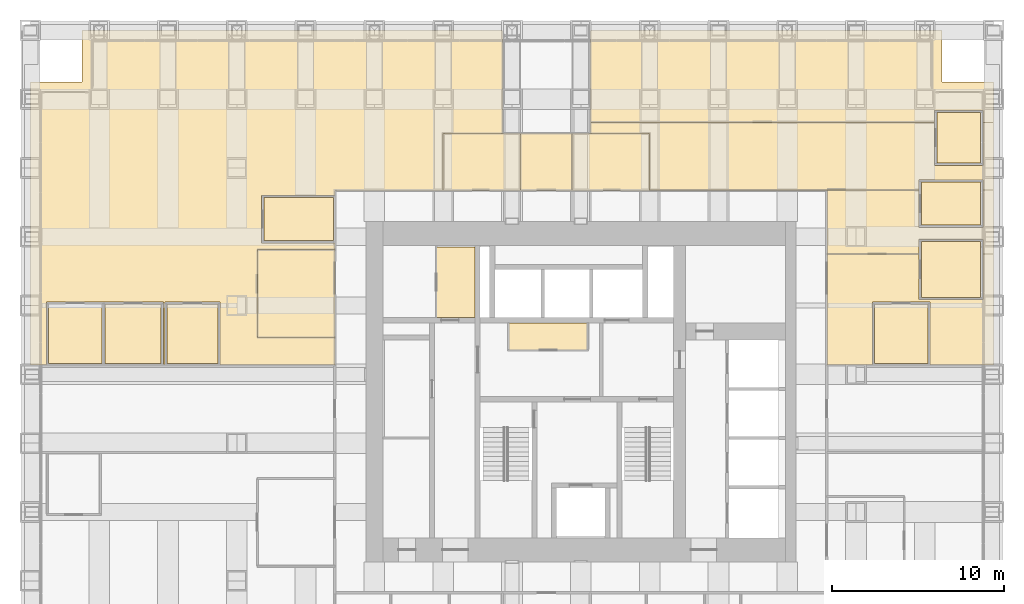
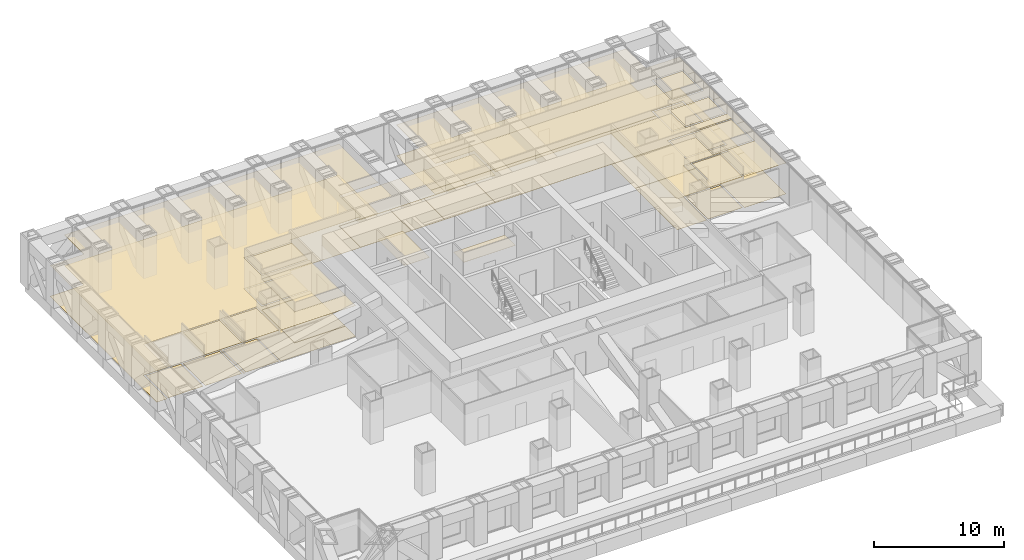
# One storey, part 17 of 18: 35 coverings.
"""IFC4 building model written with IfcOpenShell, lengths in metres."""

from ifc_helpers import new_model, si_unit, direction, frame, origin, place, context, subcontext, project, spatial, polyline, outline, extrude, material, layer, layer_set, type_object, element, save


model = new_model("IFC4")

# Units and contexts
model_context = context("Model", 3, precision=1e-05, world=origin(), true_north=direction((0.0, 1.0)))
body_context = subcontext(model_context, "Body", "Model", "MODEL_VIEW")
ifc_project = project(units=[si_unit("LENGTHUNIT", "METRE"), si_unit("AREAUNIT", "SQUARE_METRE"), si_unit("VOLUMEUNIT", "CUBIC_METRE"), si_unit("PLANEANGLEUNIT", "RADIAN"), si_unit("MASSUNIT", "GRAM", prefix="KILO")], contexts=[model_context])

# Site, building, storey
site_placement = place(None, origin())
site = spatial("IfcSite", under=ifc_project, at=site_placement, CompositionType="ELEMENT")
building_placement = place(site_placement, origin())
building = spatial("IfcBuilding", under=site, at=building_placement, Name="Rimbunsela Tower", CompositionType="ELEMENT")
storey_placement = place(building_placement, frame((0.0, 0.0, 43.0)))
storey = spatial("IfcBuildingStorey", under=building, at=storey_placement, Name="L10", CompositionType="ELEMENT", Elevation=43.0)

# Coverings
ifc_material_1 = material(Name="Nylon carpet tile", Category="textile")
ifc_layer_1 = layer(ifc_material_1, 0.010009765625)
ifc_layer_set_1 = layer_set([ifc_layer_1], Name="Carpet tile 10")
covering_type_1 = type_object("IfcCoveringType", Name="Carpet tile 10", PredefinedType="FLOORING", material=ifc_layer_set_1)
covering_1_placement = place(storey_placement, origin())
element("IfcCovering", 1, at=covering_1_placement, inside=storey, type_object=covering_type_1, Name="Floor finish Open office", PredefinedType="FLOORING", context=body_context, shape_type="SweptSolid", body=[
    extrude(outline(polyline([(11.449951171875, 35.64990234375), (15.699951171875, 35.64990234375), (15.699951171875, 35.25), (11.199951171875, 35.25), (11.199951171875, 30.14990234375), (15.699951171875, 30.14990234375), (15.699951171875, 28.551025390625), (9.030029296875, 28.551025390625), (9.030029296875, 32.199951171875), (5.830078125, 32.199951171875), (5.830078125, 28.551025390625), (5.72998046875, 28.551025390625), (5.72998046875, 32.199951171875), (2.280029296875, 32.199951171875), (2.22998046875, 32.199951171875), (-1.070068359375, 32.199951171875), (-1.070068359375, 28.551025390625), (-2.0, 28.551025390625), (-2.0, 45.0), (1.0, 45.0), (1.0, 48.0), (15.699951171875, 48.0), (25.448974609375, 48.0), (25.448974609375, 42.0), (22.0, 42.0), (22.0, 38.699951171875), (15.699951171875, 38.699951171875), (15.699951171875, 38.39990234375), (11.449951171875, 38.39990234375), (11.449951171875, 35.64990234375)])), origin(), (0.0, 0.0, 1.0), 0.010009765625),
])
covering_2_placement = place(storey_placement, origin())
element("IfcCovering", 2, at=covering_2_placement, inside=storey, type_object=covering_type_1, Name="Floor finish Open office", PredefinedType="FLOORING", context=body_context, shape_type="SweptSolid", body=[
    extrude(outline(polyline([(46.949951171875, 32.199951171875), (46.949951171875, 28.551025390625), (44.300048828125, 28.551025390625), (44.300048828125, 35.0), (49.669921875, 35.0), (49.669921875, 32.35009765625), (53.3701171875, 32.35009765625), (53.3701171875, 35.0), (54.0, 35.0), (54.0, 28.551025390625), (50.300048828125, 28.551025390625), (50.300048828125, 32.199951171875), (46.949951171875, 32.199951171875)])), origin(), (0.0, 0.0, 1.0), 0.010009765625),
])
covering_3_placement = place(storey_placement, origin())
element("IfcCovering", 3, at=covering_3_placement, inside=storey, type_object=covering_type_1, Name="Floor finish Open office", PredefinedType="FLOORING", context=body_context, shape_type="SweptSolid", body=[
    extrude(outline(polyline([(44.300048828125, 35.0), (44.300048828125, 38.699951171875), (34.0, 38.699951171875), (34.0, 38.72509765625), (49.669921875, 38.72509765625), (49.669921875, 36.550048828125), (53.3701171875, 36.550048828125), (53.3701171875, 38.72509765625), (54.0, 38.72509765625), (54.0, 35.0), (53.3701171875, 35.0), (53.3701171875, 35.85009765625), (49.669921875, 35.85009765625), (49.669921875, 35.0), (44.300048828125, 35.0)])), origin(), (0.0, 0.0, 1.0), 0.010009765625),
])
covering_4_placement = place(storey_placement, origin())
element("IfcCovering", 4, at=covering_4_placement, inside=storey, type_object=covering_type_1, Name="Floor finish Open office", PredefinedType="FLOORING", context=body_context, shape_type="SweptSolid", body=[
    extrude(outline(polyline([(34.0, 38.72509765625), (34.0, 42.0), (30.551025390625, 42.0), (30.551025390625, 42.64990234375), (50.570068359375, 42.64990234375), (50.570068359375, 40.14990234375), (53.3701171875, 40.14990234375), (53.3701171875, 42.64990234375), (54.0, 42.64990234375), (54.0, 38.72509765625), (53.3701171875, 38.72509765625), (53.3701171875, 39.300048828125), (49.669921875, 39.300048828125), (49.669921875, 38.72509765625), (34.0, 38.72509765625)])), origin(), (0.0, 0.0, 1.0), 0.010009765625),
])
covering_5_placement = place(storey_placement, origin())
element("IfcCovering", 5, at=covering_5_placement, inside=storey, type_object=covering_type_1, Name="Floor finish Open office", PredefinedType="FLOORING", context=body_context, shape_type="SweptSolid", body=[
    extrude(outline(polyline([(30.551025390625, 42.64990234375), (30.551025390625, 48.0), (44.300048828125, 48.0), (51.0, 48.0), (51.0, 45.0), (54.0, 45.0), (54.0, 42.64990234375), (53.3701171875, 42.64990234375), (53.3701171875, 43.35009765625), (50.570068359375, 43.35009765625), (50.570068359375, 42.64990234375), (30.551025390625, 42.64990234375)])), origin(), (0.0, 0.0, 1.0), 0.010009765625),
])
covering_6_placement = place(storey_placement, origin())
element("IfcCovering", 6, at=covering_6_placement, inside=storey, type_object=covering_type_1, Name="Floor finish Reception", PredefinedType="FLOORING", context=body_context, shape_type="SweptSolid", body=[
    extrude(outline(polyline([(15.699951171875, 30.14990234375), (15.699951171875, 35.25), (11.199951171875, 35.25), (11.199951171875, 30.14990234375), (15.699951171875, 30.14990234375)])), origin(), (0.0, 0.0, 1.0), 0.010009765625),
])
covering_7_placement = place(storey_placement, origin())
element("IfcCovering", 7, at=covering_7_placement, inside=storey, type_object=covering_type_1, Name="Floor finish Interview room", PredefinedType="FLOORING", context=body_context, shape_type="SweptSolid", body=[
    extrude(outline(polyline([(2.155029296875, 28.625), (2.155029296875, 32.074951171875), (-0.945068359375, 32.074951171875), (-0.945068359375, 28.625), (2.155029296875, 28.625)])), origin(), (0.0, 0.0, 1.0), 0.010009765625),
])
covering_8_placement = place(storey_placement, origin())
element("IfcCovering", 8, at=covering_8_placement, inside=storey, type_object=covering_type_1, Name="Floor finish Pantry", PredefinedType="FLOORING", context=body_context, shape_type="SweptSolid", body=[
    extrude(outline(polyline([(5.60498046875, 28.625), (5.60498046875, 32.074951171875), (2.35498046875, 32.074951171875), (2.35498046875, 28.625), (5.60498046875, 28.625)])), origin(), (0.0, 0.0, 1.0), 0.010009765625),
])
covering_9_placement = place(storey_placement, origin())
element("IfcCovering", 9, at=covering_9_placement, inside=storey, type_object=covering_type_1, Name="Floor finish Print and copy room", PredefinedType="FLOORING", context=body_context, shape_type="SweptSolid", body=[
    extrude(outline(polyline([(15.625, 35.77490234375), (15.625, 38.27490234375), (11.574951171875, 38.27490234375), (11.574951171875, 35.77490234375), (15.625, 35.77490234375)])), origin(), (0.0, 0.0, 1.0), 0.010009765625),
])
covering_10_placement = place(storey_placement, origin())
element("IfcCovering", 10, at=covering_10_placement, inside=storey, type_object=covering_type_1, Name="Floor finish Office", PredefinedType="FLOORING", context=body_context, shape_type="SweptSolid", body=[
    extrude(outline(polyline([(8.905029296875, 28.625), (8.905029296875, 32.074951171875), (5.955078125, 32.074951171875), (5.955078125, 28.625), (8.905029296875, 28.625)])), origin(), (0.0, 0.0, 1.0), 0.010009765625),
])
covering_11_placement = place(storey_placement, origin())
element("IfcCovering", 11, at=covering_11_placement, inside=storey, type_object=covering_type_1, Name="Floor finish Interview room", PredefinedType="FLOORING", context=body_context, shape_type="SweptSolid", body=[
    extrude(outline(polyline([(50.175048828125, 28.625), (50.175048828125, 32.074951171875), (47.074951171875, 32.074951171875), (47.074951171875, 28.625), (50.175048828125, 28.625)])), origin(), (0.0, 0.0, 1.0), 0.010009765625),
])
covering_12_placement = place(storey_placement, origin())
element("IfcCovering", 12, at=covering_12_placement, inside=storey, type_object=covering_type_1, Name="Floor finish Pantry", PredefinedType="FLOORING", context=body_context, shape_type="SweptSolid", body=[
    extrude(outline(polyline([(53.2451171875, 32.47509765625), (53.2451171875, 35.72509765625), (49.794921875, 35.72509765625), (49.794921875, 32.47509765625), (53.2451171875, 32.47509765625)])), origin(), (0.0, 0.0, 1.0), 0.010009765625),
])
covering_13_placement = place(storey_placement, origin())
element("IfcCovering", 13, at=covering_13_placement, inside=storey, type_object=covering_type_1, Name="Floor finish Print and copy room", PredefinedType="FLOORING", context=body_context, shape_type="SweptSolid", body=[
    extrude(outline(polyline([(53.2451171875, 36.675048828125), (53.2451171875, 39.175048828125), (49.794921875, 39.175048828125), (49.794921875, 36.675048828125), (53.2451171875, 36.675048828125)])), origin(), (0.0, 0.0, 1.0), 0.010009765625),
])
covering_14_placement = place(storey_placement, origin())
element("IfcCovering", 14, at=covering_14_placement, inside=storey, type_object=covering_type_1, Name="Floor finish Office", PredefinedType="FLOORING", context=body_context, shape_type="SweptSolid", body=[
    extrude(outline(polyline([(53.2451171875, 40.27490234375), (53.2451171875, 43.22509765625), (50.695068359375, 43.22509765625), (50.695068359375, 40.27490234375), (53.2451171875, 40.27490234375)])), origin(), (0.0, 0.0, 1.0), 0.010009765625),
])
ifc_material_2 = material(Name="Mineral fibre ceiling tile", Category="gypsum")
ifc_layer_2 = layer(ifc_material_2, 0.02001953125)
ifc_layer_set_2 = layer_set([ifc_layer_2], Name="Ceiling 600 grid")
covering_type_2 = type_object("IfcCoveringType", Name="Ceiling 600 grid", PredefinedType="CEILING", material=ifc_layer_set_2)
covering_15_placement = place(storey_placement, frame((0.0, 0.0, 2.89990234375)))
element("IfcCovering", 15, at=covering_15_placement, inside=storey, type_object=covering_type_2, Name="Ceiling Staff pantry", PredefinedType="CEILING", context=body_context, shape_type="SweptSolid", body=[
    extrude(outline(polyline([(30.39990234375, 29.39990234375), (30.39990234375, 31.0), (25.800048828125, 31.0), (25.800048828125, 29.39990234375), (30.39990234375, 29.39990234375)])), origin(), (0.0, 0.0, 1.0), 0.02001953125),
])
covering_16_placement = place(storey_placement, frame((0.0, 0.0, 2.89990234375)))
element("IfcCovering", 16, at=covering_16_placement, inside=storey, type_object=covering_type_2, Name="Ceiling Staff pantry", PredefinedType="CEILING", context=body_context, shape_type="SweptSolid", body=[
    extrude(outline(polyline([(23.85009765625, 31.300048828125), (23.85009765625, 35.39990234375), (21.60009765625, 35.39990234375), (21.60009765625, 31.300048828125), (23.85009765625, 31.300048828125)])), origin(), (0.0, 0.0, 1.0), 0.02001953125),
])
covering_17_placement = place(storey_placement, frame((0.0, 0.0, 2.89990234375)))
element("IfcCovering", 17, at=covering_17_placement, inside=storey, type_object=covering_type_2, Name="Ceiling Open office", PredefinedType="CEILING", context=body_context, shape_type="SweptSolid", body=[
    extrude(outline(polyline([(11.449951171875, 35.64990234375), (15.699951171875, 35.64990234375), (15.699951171875, 35.25), (11.199951171875, 35.25), (11.199951171875, 30.14990234375), (15.699951171875, 30.14990234375), (15.699951171875, 28.551025390625), (9.030029296875, 28.551025390625), (9.030029296875, 32.199951171875), (5.830078125, 32.199951171875), (5.830078125, 28.551025390625), (5.72998046875, 28.551025390625), (5.72998046875, 32.199951171875), (2.280029296875, 32.199951171875), (2.22998046875, 32.199951171875), (-1.070068359375, 32.199951171875), (-1.070068359375, 28.551025390625), (-2.0, 28.551025390625), (-2.0, 45.0), (1.0, 45.0), (1.0, 48.0), (15.699951171875, 48.0), (25.448974609375, 48.0), (25.448974609375, 42.0), (22.0, 42.0), (22.0, 38.699951171875), (15.699951171875, 38.699951171875), (15.699951171875, 38.39990234375), (11.449951171875, 38.39990234375), (11.449951171875, 35.64990234375)])), origin(), (0.0, 0.0, 1.0), 0.02001953125),
])
covering_18_placement = place(storey_placement, frame((0.0, 0.0, 2.89990234375)))
element("IfcCovering", 18, at=covering_18_placement, inside=storey, type_object=covering_type_2, Name="Ceiling Open office", PredefinedType="CEILING", context=body_context, shape_type="SweptSolid", body=[
    extrude(outline(polyline([(46.949951171875, 32.199951171875), (46.949951171875, 28.551025390625), (44.300048828125, 28.551025390625), (44.300048828125, 35.0), (49.669921875, 35.0), (49.669921875, 32.35009765625), (53.3701171875, 32.35009765625), (53.3701171875, 35.0), (54.0, 35.0), (54.0, 28.551025390625), (50.300048828125, 28.551025390625), (50.300048828125, 32.199951171875), (46.949951171875, 32.199951171875)])), origin(), (0.0, 0.0, 1.0), 0.02001953125),
])
covering_19_placement = place(storey_placement, frame((0.0, 0.0, 2.89990234375)))
element("IfcCovering", 19, at=covering_19_placement, inside=storey, type_object=covering_type_2, Name="Ceiling Open office", PredefinedType="CEILING", context=body_context, shape_type="SweptSolid", body=[
    extrude(outline(polyline([(44.300048828125, 35.0), (44.300048828125, 38.699951171875), (34.0, 38.699951171875), (34.0, 38.72509765625), (49.669921875, 38.72509765625), (49.669921875, 36.550048828125), (53.3701171875, 36.550048828125), (53.3701171875, 38.72509765625), (54.0, 38.72509765625), (54.0, 35.0), (53.3701171875, 35.0), (53.3701171875, 35.85009765625), (49.669921875, 35.85009765625), (49.669921875, 35.0), (44.300048828125, 35.0)])), origin(), (0.0, 0.0, 1.0), 0.02001953125),
])
covering_20_placement = place(storey_placement, frame((0.0, 0.0, 2.89990234375)))
element("IfcCovering", 20, at=covering_20_placement, inside=storey, type_object=covering_type_2, Name="Ceiling Open office", PredefinedType="CEILING", context=body_context, shape_type="SweptSolid", body=[
    extrude(outline(polyline([(34.0, 38.72509765625), (34.0, 42.0), (30.551025390625, 42.0), (30.551025390625, 42.64990234375), (50.570068359375, 42.64990234375), (50.570068359375, 40.14990234375), (53.3701171875, 40.14990234375), (53.3701171875, 42.64990234375), (54.0, 42.64990234375), (54.0, 38.72509765625), (53.3701171875, 38.72509765625), (53.3701171875, 39.300048828125), (49.669921875, 39.300048828125), (49.669921875, 38.72509765625), (34.0, 38.72509765625)])), origin(), (0.0, 0.0, 1.0), 0.02001953125),
])
covering_21_placement = place(storey_placement, frame((0.0, 0.0, 2.89990234375)))
element("IfcCovering", 21, at=covering_21_placement, inside=storey, type_object=covering_type_2, Name="Ceiling Open office", PredefinedType="CEILING", context=body_context, shape_type="SweptSolid", body=[
    extrude(outline(polyline([(30.551025390625, 42.64990234375), (30.551025390625, 48.0), (44.300048828125, 48.0), (51.0, 48.0), (51.0, 45.0), (54.0, 45.0), (54.0, 42.64990234375), (53.3701171875, 42.64990234375), (53.3701171875, 43.35009765625), (50.570068359375, 43.35009765625), (50.570068359375, 42.64990234375), (30.551025390625, 42.64990234375)])), origin(), (0.0, 0.0, 1.0), 0.02001953125),
])
covering_22_placement = place(storey_placement, frame((0.0, 0.0, 2.89990234375)))
element("IfcCovering", 22, at=covering_22_placement, inside=storey, type_object=covering_type_2, Name="Ceiling Reception", PredefinedType="CEILING", context=body_context, shape_type="SweptSolid", body=[
    extrude(outline(polyline([(15.699951171875, 30.14990234375), (15.699951171875, 35.25), (11.199951171875, 35.25), (11.199951171875, 30.14990234375), (15.699951171875, 30.14990234375)])), origin(), (0.0, 0.0, 1.0), 0.02001953125),
])
covering_23_placement = place(storey_placement, frame((0.0, 0.0, 2.89990234375)))
element("IfcCovering", 23, at=covering_23_placement, inside=storey, type_object=covering_type_2, Name="Ceiling Pantry", PredefinedType="CEILING", context=body_context, shape_type="SweptSolid", body=[
    extrude(outline(polyline([(5.60498046875, 28.625), (5.60498046875, 32.074951171875), (2.35498046875, 32.074951171875), (2.35498046875, 28.625), (5.60498046875, 28.625)])), origin(), (0.0, 0.0, 1.0), 0.02001953125),
])
covering_24_placement = place(storey_placement, frame((0.0, 0.0, 2.89990234375)))
element("IfcCovering", 24, at=covering_24_placement, inside=storey, type_object=covering_type_2, Name="Ceiling Print and copy room", PredefinedType="CEILING", context=body_context, shape_type="SweptSolid", body=[
    extrude(outline(polyline([(15.625, 35.77490234375), (15.625, 38.27490234375), (11.574951171875, 38.27490234375), (11.574951171875, 35.77490234375), (15.625, 35.77490234375)])), origin(), (0.0, 0.0, 1.0), 0.02001953125),
])
covering_25_placement = place(storey_placement, frame((0.0, 0.0, 2.89990234375)))
element("IfcCovering", 25, at=covering_25_placement, inside=storey, type_object=covering_type_2, Name="Ceiling Office", PredefinedType="CEILING", context=body_context, shape_type="SweptSolid", body=[
    extrude(outline(polyline([(8.905029296875, 28.625), (8.905029296875, 32.074951171875), (5.955078125, 32.074951171875), (5.955078125, 28.625), (8.905029296875, 28.625)])), origin(), (0.0, 0.0, 1.0), 0.02001953125),
])
covering_26_placement = place(storey_placement, frame((0.0, 0.0, 2.89990234375)))
element("IfcCovering", 26, at=covering_26_placement, inside=storey, type_object=covering_type_2, Name="Ceiling Interview room", PredefinedType="CEILING", context=body_context, shape_type="SweptSolid", body=[
    extrude(outline(polyline([(50.175048828125, 28.625), (50.175048828125, 32.074951171875), (47.074951171875, 32.074951171875), (47.074951171875, 28.625), (50.175048828125, 28.625)])), origin(), (0.0, 0.0, 1.0), 0.02001953125),
])
covering_27_placement = place(storey_placement, frame((0.0, 0.0, 2.89990234375)))
element("IfcCovering", 27, at=covering_27_placement, inside=storey, type_object=covering_type_2, Name="Ceiling Pantry", PredefinedType="CEILING", context=body_context, shape_type="SweptSolid", body=[
    extrude(outline(polyline([(53.2451171875, 32.47509765625), (53.2451171875, 35.72509765625), (49.794921875, 35.72509765625), (49.794921875, 32.47509765625), (53.2451171875, 32.47509765625)])), origin(), (0.0, 0.0, 1.0), 0.02001953125),
])
covering_28_placement = place(storey_placement, frame((0.0, 0.0, 2.89990234375)))
element("IfcCovering", 28, at=covering_28_placement, inside=storey, type_object=covering_type_2, Name="Ceiling Print and copy room", PredefinedType="CEILING", context=body_context, shape_type="SweptSolid", body=[
    extrude(outline(polyline([(53.2451171875, 36.675048828125), (53.2451171875, 39.175048828125), (49.794921875, 39.175048828125), (49.794921875, 36.675048828125), (53.2451171875, 36.675048828125)])), origin(), (0.0, 0.0, 1.0), 0.02001953125),
])
covering_29_placement = place(storey_placement, frame((0.0, 0.0, 2.89990234375)))
element("IfcCovering", 29, at=covering_29_placement, inside=storey, type_object=covering_type_2, Name="Ceiling Office", PredefinedType="CEILING", context=body_context, shape_type="SweptSolid", body=[
    extrude(outline(polyline([(53.2451171875, 40.27490234375), (53.2451171875, 43.22509765625), (50.695068359375, 43.22509765625), (50.695068359375, 40.27490234375), (53.2451171875, 40.27490234375)])), origin(), (0.0, 0.0, 1.0), 0.02001953125),
])
ifc_material_3 = material(Name="Moisture-resistant plasterboard ceiling", Category="gypsum")
ifc_layer_3 = layer(ifc_material_3, 0.012451171875)
ifc_layer_set_3 = layer_set([ifc_layer_3], Name="Ceiling moisture-resistant board")
covering_type_3 = type_object("IfcCoveringType", Name="Ceiling moisture-resistant board", PredefinedType="CEILING", material=ifc_layer_set_3)
covering_30_placement = place(storey_placement, frame((0.0, 0.0, 2.60009765625)))
element("IfcCovering", 30, at=covering_30_placement, inside=storey, type_object=covering_type_3, Name="Ceiling Female WC", PredefinedType="CEILING", context=body_context, shape_type="SweptSolid", body=[
    extrude(outline(polyline([(26.5, 38.699951171875), (26.5, 42.0), (22.0, 42.0), (22.0, 38.699951171875), (26.5, 38.699951171875)])), origin(), (0.0, 0.0, 1.0), 0.02001953125),
])
covering_31_placement = place(storey_placement, frame((0.0, 0.0, 2.60009765625)))
element("IfcCovering", 31, at=covering_31_placement, inside=storey, type_object=covering_type_3, Name="Ceiling Accessible WC", PredefinedType="CEILING", context=body_context, shape_type="SweptSolid", body=[
    extrude(outline(polyline([(29.5, 38.699951171875), (29.5, 42.0), (26.5, 42.0), (26.5, 38.699951171875), (29.5, 38.699951171875)])), origin(), (0.0, 0.0, 1.0), 0.02001953125),
])
covering_32_placement = place(storey_placement, frame((0.0, 0.0, 2.60009765625)))
element("IfcCovering", 32, at=covering_32_placement, inside=storey, type_object=covering_type_3, Name="Ceiling Male WC", PredefinedType="CEILING", context=body_context, shape_type="SweptSolid", body=[
    extrude(outline(polyline([(34.0, 38.699951171875), (34.0, 42.0), (29.5, 42.0), (29.5, 38.699951171875), (34.0, 38.699951171875)])), origin(), (0.0, 0.0, 1.0), 0.02001953125),
])
ifc_material_4 = material(Name="Porcelain floor tile in adhesive bed", Category="ceramic")
ifc_layer_4 = layer(ifc_material_4, 0.02001953125)
ifc_layer_set_4 = layer_set([ifc_layer_4], Name="Porcelain tile 20")
covering_type_4 = type_object("IfcCoveringType", Name="Porcelain tile 20", PredefinedType="FLOORING", material=ifc_layer_set_4)
covering_33_placement = place(storey_placement, origin())
element("IfcCovering", 33, at=covering_33_placement, inside=storey, type_object=covering_type_4, Name="Floor finish Female WC", PredefinedType="FLOORING", context=body_context, shape_type="SweptSolid", body=[
    extrude(outline(polyline([(26.5, 38.699951171875), (26.5, 42.0), (22.0, 42.0), (22.0, 38.699951171875), (26.5, 38.699951171875)])), origin(), (0.0, 0.0, 1.0), 0.02001953125),
])
covering_34_placement = place(storey_placement, origin())
element("IfcCovering", 34, at=covering_34_placement, inside=storey, type_object=covering_type_4, Name="Floor finish Accessible WC", PredefinedType="FLOORING", context=body_context, shape_type="SweptSolid", body=[
    extrude(outline(polyline([(29.5, 38.699951171875), (29.5, 42.0), (26.5, 42.0), (26.5, 38.699951171875), (29.5, 38.699951171875)])), origin(), (0.0, 0.0, 1.0), 0.02001953125),
])
covering_35_placement = place(storey_placement, origin())
element("IfcCovering", 35, at=covering_35_placement, inside=storey, type_object=covering_type_4, Name="Floor finish Male WC", PredefinedType="FLOORING", context=body_context, shape_type="SweptSolid", body=[
    extrude(outline(polyline([(34.0, 38.699951171875), (34.0, 42.0), (29.5, 42.0), (29.5, 38.699951171875), (34.0, 38.699951171875)])), origin(), (0.0, 0.0, 1.0), 0.02001953125),
])

save(model, "model.ifc")
